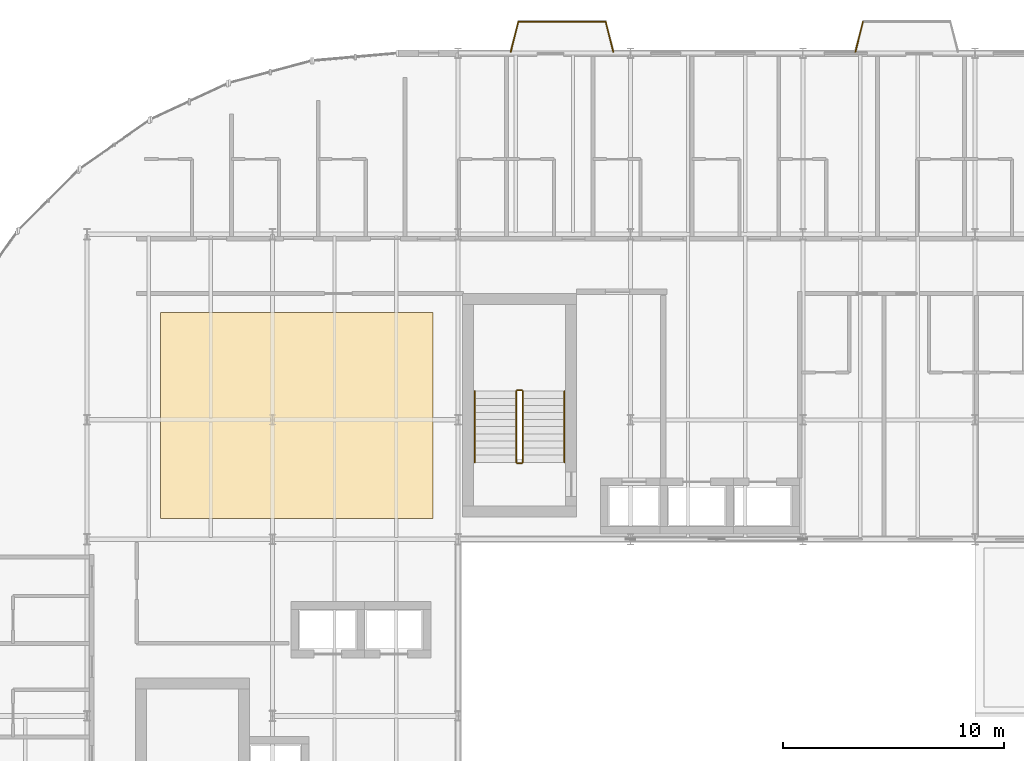
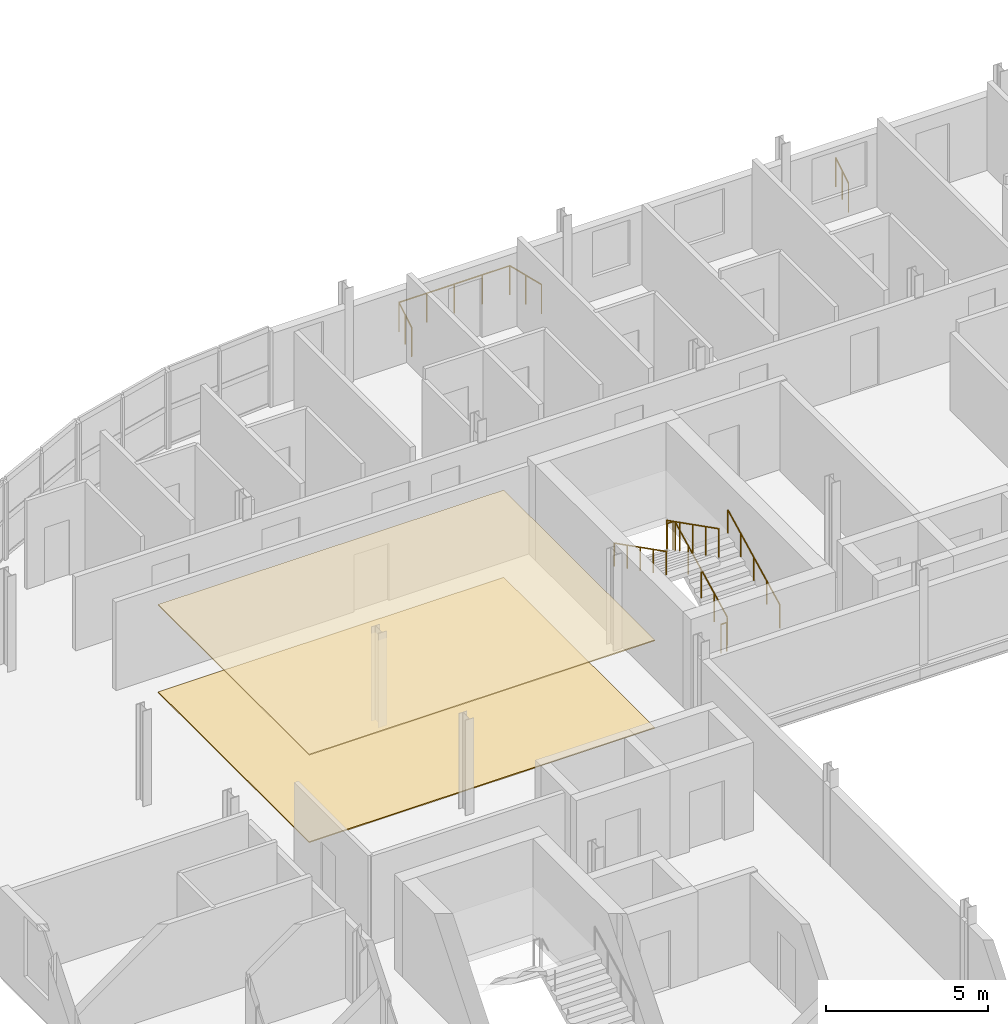
# One storey, part 34 of 36: 10 railings, 2 coverings.
"""IFC4 building model written with IfcOpenShell, lengths in metres."""

from ifc_helpers import new_model, si_unit, direction, frame, origin, origin_2d, place, context, subcontext, project, spatial, polyline, circle, outline, extrude, material, layer, layer_set, type_object, element, save


model = new_model("IFC4")

# Units and contexts
model_context = context("Model", 3, precision=1e-05, world=origin(), true_north=direction((0.0, 1.0)))
body_context = subcontext(model_context, "Body", "Model", "MODEL_VIEW")
ifc_project = project(units=[si_unit("LENGTHUNIT", "METRE"), si_unit("AREAUNIT", "SQUARE_METRE"), si_unit("VOLUMEUNIT", "CUBIC_METRE"), si_unit("PLANEANGLEUNIT", "RADIAN"), si_unit("MASSUNIT", "GRAM", prefix="KILO")], contexts=[model_context])

# Site, building, storey
site_placement = place(None, origin())
site = spatial("IfcSite", under=ifc_project, at=site_placement, CompositionType="ELEMENT")
building_placement = place(site_placement, origin())
building = spatial("IfcBuilding", under=site, at=building_placement, Name="Sefraquen Railside Congress Hotel", CompositionType="ELEMENT")
storey_placement = place(building_placement, frame((0.0, 0.0, 24.60009765625)))
storey = spatial("IfcBuildingStorey", under=building, at=storey_placement, Name="L05", CompositionType="ELEMENT", Elevation=24.60009765625)

# Coverings
ifc_material_1 = material(Name="Acoustic mineral and carved plaster ceiling", Category="gypsum")
ifc_layer_1 = layer(ifc_material_1, 0.0400390625)
ifc_layer_set_1 = layer_set([ifc_layer_1], Name="Acoustic mineral and carved plaster ceiling")
covering_type_1 = type_object("IfcCoveringType", Name="TCV-CEIL-01", PredefinedType="CEILING", material=ifc_layer_set_1)
covering_1_placement = place(storey_placement, frame((0.0, 0.0, 3.2998046875)))
element("IfcCovering", 1, at=covering_1_placement, inside=storey, type_object=covering_type_1, Name="Valet and Beverage Service Pantry L05 acoustic ceiling finish", PredefinedType="CEILING", context=body_context, shape_type="SweptSolid", body=[
    extrude(outline(polyline([(11.72998046875, 96.929931640625), (24.070068359375, 96.929931640625), (24.070068359375, 106.27001953125), (11.72998046875, 106.27001953125), (11.72998046875, 96.929931640625)])), origin(), (0.0, 0.0, 1.0), 0.0400390625),
])
ifc_material_2 = material(Name="Moroccan zellige ceramic and honed stone flooring", Category="masonry")
ifc_layer_2 = layer(ifc_material_2, 0.0400390625)
ifc_layer_set_2 = layer_set([ifc_layer_2], Name="Moroccan zellige ceramic and honed stone flooring")
covering_type_2 = type_object("IfcCoveringType", Name="TCV-FLR-01", PredefinedType="FLOORING", material=ifc_layer_set_2)
covering_2_placement = place(storey_placement, origin())
element("IfcCovering", 2, at=covering_2_placement, inside=storey, type_object=covering_type_2, Name="Valet and Beverage Service Pantry L05 architectural floor finish", PredefinedType="FLOORING", context=body_context, shape_type="SweptSolid", body=[
    extrude(outline(polyline([(11.72998046875, 96.929931640625), (24.070068359375, 96.929931640625), (24.070068359375, 106.27001953125), (11.72998046875, 106.27001953125), (11.72998046875, 96.929931640625)])), origin(), (0.0, 0.0, 1.0), 0.039794921875),
])

# Railings
ifc_material_3 = material(Name="Patinated wrought architectural bronze", Category="metal")
railing_type_1 = type_object("IfcRailingType", Name="TRL-BAL-110", PredefinedType="BALUSTRADE", material=ifc_material_3)
railing_1_placement = place(storey_placement, frame((27.580078125, 118.050048828125, 0.0)))
element("IfcRailing", 3, at=railing_1_placement, inside=storey, type_object=railing_type_1, Name="Guest balcony Art Nouveau balustrade L05-01", PredefinedType="BALUSTRADE", context=body_context, shape_type="SweptSolid", body=[
    extrude(circle(Radius=0.02392578125, at=origin_2d()), frame((0.0, 0.0, 1.09619140625), z_axis=(0.240785102022, 0.970578453627, 0.0), x_axis=(-0.970578453627, 0.240785102022, 0.0)), (0.0, 0.0, 1.0), 1.411376953125),
    extrude(circle(Radius=0.02099609375, at=origin_2d()), origin(), (0.0, 0.0, 1.0), 1.072021484375),
    extrude(circle(Radius=0.02099609375, at=origin_2d()), frame((0.169921875, 0.68505859375, 0.0)), (0.0, 0.0, 1.0), 1.072021484375),
    extrude(circle(Radius=0.02099609375, at=origin_2d()), frame((0.33984375, 1.369873046875, 0.0)), (0.0, 0.0, 1.0), 1.072021484375),
])
railing_2_placement = place(storey_placement, frame((27.919921875, 119.419921875, 0.0)))
element("IfcRailing", 4, at=railing_2_placement, inside=storey, type_object=railing_type_1, Name="Guest balcony Art Nouveau balustrade L05-01", PredefinedType="BALUSTRADE", context=body_context, shape_type="SweptSolid", body=[
    extrude(circle(Radius=0.02392578125, at=origin_2d()), frame((0.0, 0.0, 1.09619140625), z_axis=(1.0, 0.0, 0.0), x_axis=(0.0, 1.0, 0.0)), (0.0, 0.0, 1.0), 3.9599609375),
    extrude(circle(Radius=0.02099609375, at=origin_2d()), origin(), (0.0, 0.0, 1.0), 1.072021484375),
    extrude(circle(Radius=0.02099609375, at=origin_2d()), frame((0.989990234375, 0.0, 0.0)), (0.0, 0.0, 1.0), 1.072021484375),
    extrude(circle(Radius=0.02099609375, at=origin_2d()), frame((1.97998046875, 0.0, 0.0)), (0.0, 0.0, 1.0), 1.072021484375),
    extrude(circle(Radius=0.02099609375, at=origin_2d()), frame((2.969970703125, 0.0, 0.0)), (0.0, 0.0, 1.0), 1.072021484375),
    extrude(circle(Radius=0.02099609375, at=origin_2d()), frame((3.9599609375, 0.0, 0.0)), (0.0, 0.0, 1.0), 1.072021484375),
])
railing_3_placement = place(storey_placement, frame((31.8798828125, 119.419921875, 0.0)))
element("IfcRailing", 5, at=railing_3_placement, inside=storey, type_object=railing_type_1, Name="Guest balcony Art Nouveau balustrade L05-01", PredefinedType="BALUSTRADE", context=body_context, shape_type="SweptSolid", body=[
    extrude(circle(Radius=0.02392578125, at=origin_2d()), frame((0.0, 0.0, 1.09619140625), z_axis=(0.240948040829, -0.970538016577, 0.0), x_axis=(0.970538016577, 0.240948040829, 0.0)), (0.0, 0.0, 1.0), 1.411376953125),
    extrude(circle(Radius=0.02099609375, at=origin_2d()), origin(), (0.0, 0.0, 1.0), 1.072021484375),
    extrude(circle(Radius=0.02099609375, at=origin_2d()), frame((0.169921875, -0.68505859375, 0.0)), (0.0, 0.0, 1.0), 1.072021484375),
    extrude(circle(Radius=0.02099609375, at=origin_2d()), frame((0.340087890625, -1.369873046875, 0.0)), (0.0, 0.0, 1.0), 1.072021484375),
])
railing_4_placement = place(storey_placement, frame((43.179931640625, 118.050048828125, 0.0)))
element("IfcRailing", 6, at=railing_4_placement, inside=storey, type_object=railing_type_1, Name="Guest balcony Art Nouveau balustrade L05-02", PredefinedType="BALUSTRADE", context=body_context, shape_type="SweptSolid", body=[
    extrude(circle(Radius=0.02392578125, at=origin_2d()), frame((0.0, 0.0, 1.09619140625), z_axis=(0.240948040829, 0.970538016577, 0.0), x_axis=(-0.970538016577, 0.240948040829, 0.0)), (0.0, 0.0, 1.0), 1.411376953125),
    extrude(circle(Radius=0.02099609375, at=origin_2d()), origin(), (0.0, 0.0, 1.0), 1.072021484375),
    extrude(circle(Radius=0.02099609375, at=origin_2d()), frame((0.169921875, 0.68505859375, 0.0)), (0.0, 0.0, 1.0), 1.072021484375),
    extrude(circle(Radius=0.02099609375, at=origin_2d()), frame((0.340087890625, 1.369873046875, 0.0)), (0.0, 0.0, 1.0), 1.072021484375),
])
railing_5_placement = place(storey_placement, frame((28.1298828125, 99.47998046875, 0.16357421875)))
element("IfcRailing", 7, at=railing_5_placement, inside=storey, type_object=railing_type_1, Name="L05 ST-H02 stair guard 1", PredefinedType="BALUSTRADE", context=body_context, shape_type="SweptSolid", body=[
    extrude(circle(Radius=0.02392578125, at=origin_2d()), frame((0.0, 0.0, 1.076171875), z_axis=(0.0, 0.89150174374, 0.453017263367), x_axis=(-1.0, 0.0, 0.0)), (0.0, 0.0, 1.0), 3.61181640625),
    extrude(circle(Radius=0.02099609375, at=origin_2d()), origin(), (0.0, 0.0, 1.0), 1.052001953125),
    extrude(circle(Radius=0.02099609375, at=origin_2d()), frame((0.0, 0.804931640625, 0.4091796875)), (0.0, 0.0, 1.0), 1.052001953125),
    extrude(circle(Radius=0.02099609375, at=origin_2d()), frame((0.0, 1.60986328125, 0.818115234375)), (0.0, 0.0, 1.0), 1.052001953125),
    extrude(circle(Radius=0.02099609375, at=origin_2d()), frame((0.0, 2.4150390625, 1.22705078125)), (0.0, 0.0, 1.0), 1.052001953125),
    extrude(circle(Radius=0.02099609375, at=origin_2d()), frame((0.0, 3.219970703125, 1.63623046875)), (0.0, 0.0, 1.0), 1.052001953125),
])
railing_6_placement = place(storey_placement, frame((28.080078125, 102.75, 1.7998046875)))
element("IfcRailing", 8, at=railing_6_placement, inside=storey, type_object=railing_type_1, Name="L05 ST-H02 stair guard 2", PredefinedType="BALUSTRADE", context=body_context, shape_type="SweptSolid", body=[
    extrude(circle(Radius=0.02392578125, at=origin_2d()), frame((0.0, 0.0, 1.076171875), z_axis=(-1.0, 0.0, 0.0), x_axis=(0.0, -1.0, 0.0)), (0.0, 0.0, 1.0), 0.2001953125),
    extrude(circle(Radius=0.02099609375, at=origin_2d()), origin(), (0.0, 0.0, 1.0), 1.052001953125),
    extrude(circle(Radius=0.02099609375, at=origin_2d()), frame((-0.2001953125, 0.0, 0.0)), (0.0, 0.0, 1.0), 1.052001953125),
])
railing_7_placement = place(storey_placement, frame((27.830078125, 102.699951171875, 1.963623046875)))
element("IfcRailing", 9, at=railing_7_placement, inside=storey, type_object=railing_type_1, Name="L05 ST-H02 stair guard 3", PredefinedType="BALUSTRADE", context=body_context, shape_type="SweptSolid", body=[
    extrude(circle(Radius=0.02392578125, at=origin_2d()), frame((0.0, 0.0, 1.076171875), z_axis=(0.0, -0.89150174374, 0.453017263367), x_axis=(1.0, 0.0, 0.0)), (0.0, 0.0, 1.0), 3.61181640625),
    extrude(circle(Radius=0.02099609375, at=origin_2d()), origin(), (0.0, 0.0, 1.0), 1.052001953125),
    extrude(circle(Radius=0.02099609375, at=origin_2d()), frame((0.0, -0.804931640625, 0.4091796875)), (0.0, 0.0, 1.0), 1.052001953125),
    extrude(circle(Radius=0.02099609375, at=origin_2d()), frame((0.0, -1.60986328125, 0.818115234375)), (0.0, 0.0, 1.0), 1.052001953125),
    extrude(circle(Radius=0.02099609375, at=origin_2d()), frame((0.0, -2.4150390625, 1.22705078125)), (0.0, 0.0, 1.0), 1.052001953125),
    extrude(circle(Radius=0.02099609375, at=origin_2d()), frame((0.0, -3.219970703125, 1.63623046875)), (0.0, 0.0, 1.0), 1.052001953125),
])
railing_8_placement = place(storey_placement, frame((28.080078125, 99.429931640625, 0.0)))
element("IfcRailing", 10, at=railing_8_placement, inside=storey, type_object=railing_type_1, Name="L05 ST-H02 stair guard 4", PredefinedType="BALUSTRADE", context=body_context, shape_type="SweptSolid", body=[
    extrude(circle(Radius=0.02392578125, at=origin_2d()), frame((0.0, 0.0, 1.076171875), z_axis=(-1.0, 0.0, 0.0), x_axis=(0.0, -1.0, 0.0)), (0.0, 0.0, 1.0), 0.2001953125),
    extrude(circle(Radius=0.02099609375, at=origin_2d()), origin(), (0.0, 0.0, 1.0), 1.052001953125),
    extrude(circle(Radius=0.02099609375, at=origin_2d()), frame((-0.2001953125, 0.0, 0.0)), (0.0, 0.0, 1.0), 1.052001953125),
])
railing_type_2 = type_object("IfcRailingType", Name="TRL-HR-090", PredefinedType="HANDRAIL", material=ifc_material_3)
railing_9_placement = place(storey_placement, frame((30.010009765625, 99.47998046875, 0.16357421875)))
element("IfcRailing", 11, at=railing_9_placement, inside=storey, type_object=railing_type_2, Name="L05 ST-H02 stair handrail 1", PredefinedType="HANDRAIL", context=body_context, shape_type="SweptSolid", body=[
    extrude(circle(Radius=0.02392578125, at=origin_2d()), frame((0.0, 0.0, 0.8759765625), z_axis=(0.0, 0.89150174374, 0.453017263367), x_axis=(-1.0, 0.0, 0.0)), (0.0, 0.0, 1.0), 3.61181640625),
    extrude(circle(Radius=0.02099609375, at=origin_2d()), origin(), (0.0, 0.0, 1.0), 0.851806640625),
    extrude(circle(Radius=0.02099609375, at=origin_2d()), frame((0.0, 0.804931640625, 0.4091796875)), (0.0, 0.0, 1.0), 0.851806640625),
    extrude(circle(Radius=0.02099609375, at=origin_2d()), frame((0.0, 1.60986328125, 0.818115234375)), (0.0, 0.0, 1.0), 0.851806640625),
    extrude(circle(Radius=0.02099609375, at=origin_2d()), frame((0.0, 2.4150390625, 1.22705078125)), (0.0, 0.0, 1.0), 0.851806640625),
    extrude(circle(Radius=0.02099609375, at=origin_2d()), frame((0.0, 3.219970703125, 1.63623046875)), (0.0, 0.0, 1.0), 0.851806640625),
])
railing_10_placement = place(storey_placement, frame((25.949951171875, 102.699951171875, 1.963623046875)))
element("IfcRailing", 12, at=railing_10_placement, inside=storey, type_object=railing_type_2, Name="L05 ST-H02 stair handrail 2", PredefinedType="HANDRAIL", context=body_context, shape_type="SweptSolid", body=[
    extrude(circle(Radius=0.02392578125, at=origin_2d()), frame((0.0, 0.0, 0.8759765625), z_axis=(0.0, -0.89150174374, 0.453017263367), x_axis=(1.0, 0.0, 0.0)), (0.0, 0.0, 1.0), 3.61181640625),
    extrude(circle(Radius=0.02099609375, at=origin_2d()), origin(), (0.0, 0.0, 1.0), 0.851806640625),
    extrude(circle(Radius=0.02099609375, at=origin_2d()), frame((0.0, -0.804931640625, 0.4091796875)), (0.0, 0.0, 1.0), 0.851806640625),
    extrude(circle(Radius=0.02099609375, at=origin_2d()), frame((0.0, -1.60986328125, 0.818115234375)), (0.0, 0.0, 1.0), 0.851806640625),
    extrude(circle(Radius=0.02099609375, at=origin_2d()), frame((0.0, -2.4150390625, 1.22705078125)), (0.0, 0.0, 1.0), 0.851806640625),
    extrude(circle(Radius=0.02099609375, at=origin_2d()), frame((0.0, -3.219970703125, 1.63623046875)), (0.0, 0.0, 1.0), 0.851806640625),
])

save(model, "model.ifc")
